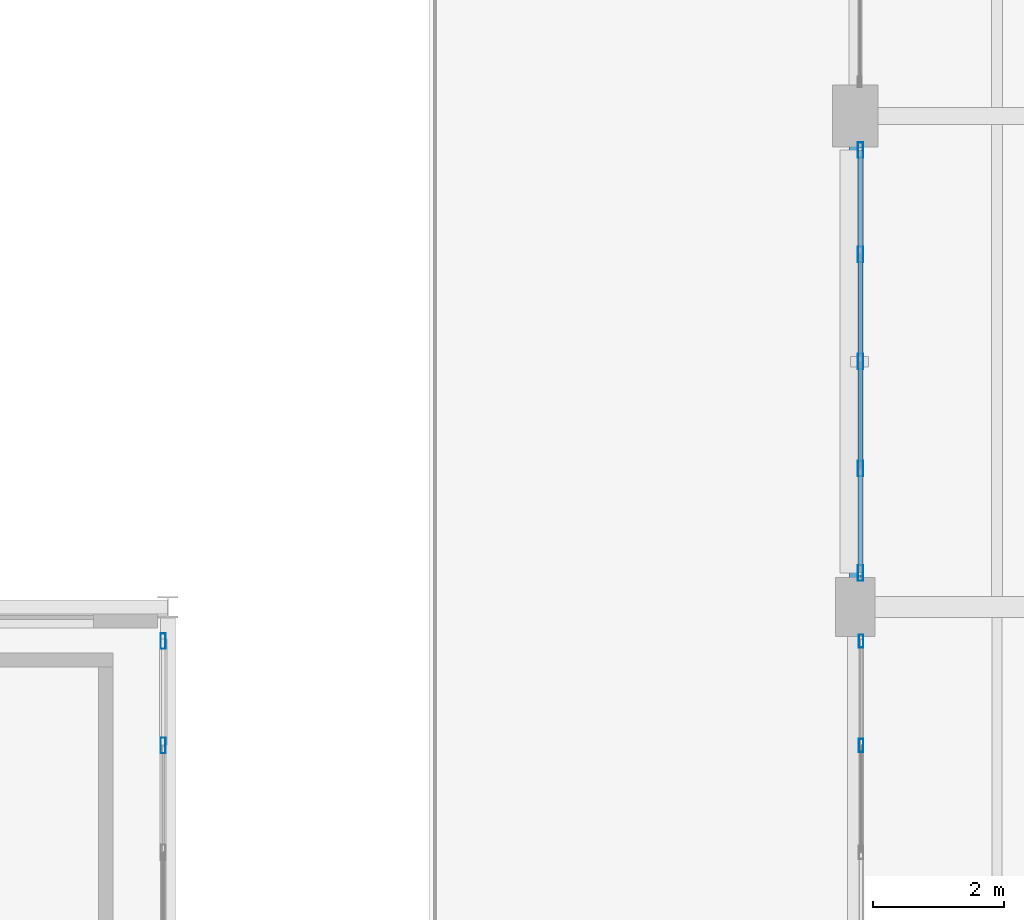
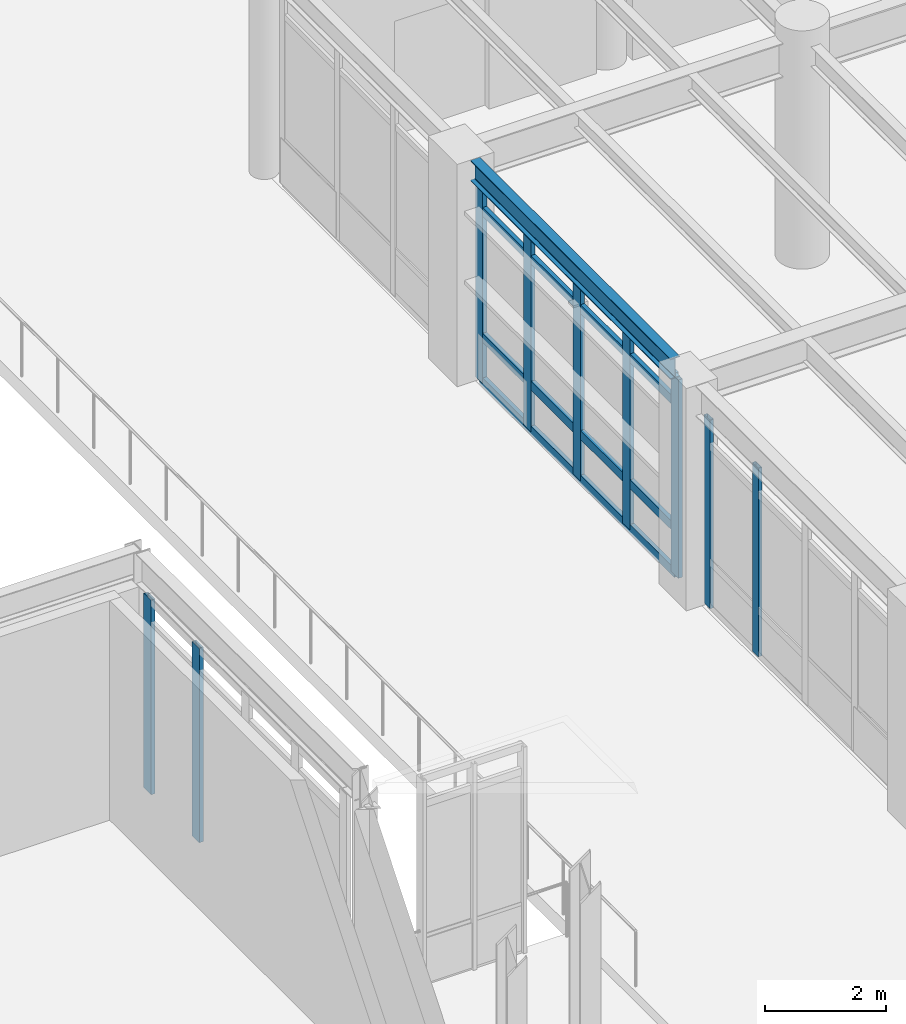
# One storey, part 40 of 200: 13 members, 1 beam, 3 elements without a shape of their own.
"""IFC4 building model written with IfcOpenShell, lengths in metres."""

from ifc_helpers import new_model, si_unit, direction, frame, origin, origin_2d, place, context, subcontext, project, spatial, hollow_rectangle, i_section, extrude, material, material_profile, profile_set, type_object, element, aggregate, save


model = new_model("IFC4")

# Units and contexts
model_context = context("Model", 3, precision=1e-05, world=origin(), true_north=direction((0.0, 1.0)))
body_context = subcontext(model_context, "Body", "Model", "MODEL_VIEW")
ifc_project = project(units=[si_unit("LENGTHUNIT", "METRE"), si_unit("AREAUNIT", "SQUARE_METRE"), si_unit("VOLUMEUNIT", "CUBIC_METRE"), si_unit("PLANEANGLEUNIT", "RADIAN"), si_unit("MASSUNIT", "GRAM", prefix="KILO"), si_unit("THERMODYNAMICTEMPERATUREUNIT", "KELVIN"), si_unit("POWERUNIT", "WATT")], contexts=[model_context])

# Site, building, storey
site_placement = place(None, origin())
site = spatial("IfcSite", under=ifc_project, at=site_placement, CompositionType="ELEMENT")
building_placement = place(site_placement, origin())
building = spatial("IfcBuilding", under=site, at=building_placement, Name="Tepalcoro Natatorium and Aquatics Centre", CompositionType="ELEMENT")
storey_placement = place(building_placement, frame((0.0, 0.0, 5.39990234375)))
storey = spatial("IfcBuildingStorey", under=building, at=storey_placement, Name="L01", CompositionType="ELEMENT", Elevation=5.39990234375)

# Curtain wall, members
ifc_material_1 = material(Name="Bronze-Anodised Extruded Aluminium Alloy EN AW-6063 T6", Category="aluminium")
curtain_wall_type_1 = type_object("IfcCurtainWallType", Name="CW_V1_PLINTH", PredefinedType="USERDEFINED", material=ifc_material_1)
curtain_wall_1_placement = place(storey_placement, origin())
curtain_wall_1 = element("IfcCurtainWall", 1, at=curtain_wall_1_placement, inside=storey, type_object=curtain_wall_type_1, Name="V1 L01 W Unitised Curtain Wall Bay 6", ObjectType="UNITISED STOREFRONT", PredefinedType="USERDEFINED")
ifc_material_profile_1 = material_profile(ifc_material_1, hollow_rectangle(XDim=0.070068359375, YDim=0.199951171875, WallThickness=0.0048828125, at=origin_2d()), Name="AL70X200X5")
ifc_profile_set_1 = profile_set([ifc_material_profile_1], Name="Bronze-Anodised Extruded Aluminium Alloy EN AW-6063 T6")
member_type_1 = type_object("IfcMemberType", Name="CW_MUL_70x200", PredefinedType="MULLION", material=ifc_profile_set_1)
member_1_placement = place(storey_placement, frame((46.590087890625, 49.385009765625, 0.02001953125), z_axis=(0.0, 0.0, 1.0), x_axis=(1.0, 0.0, 0.0)))
member_1 = element("IfcMember", 2, at=member_1_placement, type_object=member_type_1, Name="CW_V1_PLINTH Curtain Wall Mullion", PredefinedType="MULLION", context=body_context, shape_type="SweptSolid", body=[
    extrude(hollow_rectangle(XDim=0.070068359375, YDim=0.199951171875, WallThickness=0.0048828125, at=origin_2d()), origin(), (0.0, 0.0, 1.0), 3.798095703125),
])
member_2_placement = place(storey_placement, frame((46.590087890625, 50.97998046875, 0.02001953125), z_axis=(0.0, 0.0, 1.0), x_axis=(1.0, 0.0, 0.0)))
member_2 = element("IfcMember", 3, at=member_2_placement, type_object=member_type_1, Name="CW_V1_PLINTH Curtain Wall Mullion", PredefinedType="MULLION", context=body_context, shape_type="SweptSolid", body=[
    extrude(hollow_rectangle(XDim=0.070068359375, YDim=0.199951171875, WallThickness=0.0048828125, at=origin_2d()), origin(), (0.0, 0.0, 1.0), 3.798095703125),
])
aggregate(curtain_wall_1, [member_1, member_2])

curtain_wall_type_2 = type_object("IfcCurtainWallType", Name="CW_V2_DIVING", PredefinedType="USERDEFINED", material=ifc_material_1)
curtain_wall_2_placement = place(storey_placement, origin())
curtain_wall_2 = element("IfcCurtainWall", 4, at=curtain_wall_2_placement, inside=storey, type_object=curtain_wall_type_2, Name="V1 L01 W Unitised Curtain Wall Bay 7", ObjectType="FACETED SOLAR GLAZING", PredefinedType="USERDEFINED")
ifc_material_profile_2 = material_profile(ifc_material_1, hollow_rectangle(XDim=0.080078125, YDim=0.239990234375, WallThickness=0.0048828125, at=origin_2d()), Name="AL80X240X5")
ifc_profile_set_2 = profile_set([ifc_material_profile_2], Name="Bronze-Anodised Extruded Aluminium Alloy EN AW-6063 T6")
member_type_2 = type_object("IfcMemberType", Name="CW_MUL_80x240", PredefinedType="MULLION", material=ifc_profile_set_2)
member_3_placement = place(storey_placement, frame((46.580078125, 52.02001953125, 0.02001953125), z_axis=(0.0, 0.0, 1.0), x_axis=(1.0, 0.0, 0.0)))
member_3 = element("IfcMember", 5, at=member_3_placement, type_object=member_type_2, Name="CW_V2_DIVING Curtain Wall Mullion", PredefinedType="MULLION", context=body_context, shape_type="SweptSolid", body=[
    extrude(hollow_rectangle(XDim=0.080078125, YDim=0.239990234375, WallThickness=0.0048828125, at=origin_2d()), origin(), (0.0, 0.0, 1.0), 3.9970703125),
])
member_4_placement = place(storey_placement, frame((46.580078125, 53.614990234375, 0.02001953125), z_axis=(0.0, 0.0, 1.0), x_axis=(1.0, 0.0, 0.0)))
member_4 = element("IfcMember", 6, at=member_4_placement, type_object=member_type_2, Name="CW_V2_DIVING Curtain Wall Mullion", PredefinedType="MULLION", context=body_context, shape_type="SweptSolid", body=[
    extrude(hollow_rectangle(XDim=0.080078125, YDim=0.239990234375, WallThickness=0.0048828125, at=origin_2d()), origin(), (0.0, 0.0, 1.0), 3.9970703125),
])
member_5_placement = place(storey_placement, frame((46.580078125, 55.25, 0.02001953125), z_axis=(0.0, 0.0, 1.0), x_axis=(1.0, 0.0, 0.0)))
member_5 = element("IfcMember", 7, at=member_5_placement, type_object=member_type_2, Name="CW_V2_DIVING Curtain Wall Mullion", PredefinedType="MULLION", context=body_context, shape_type="SweptSolid", body=[
    extrude(hollow_rectangle(XDim=0.080078125, YDim=0.239990234375, WallThickness=0.0048828125, at=origin_2d()), origin(), (0.0, 0.0, 1.0), 3.9970703125),
])
member_6_placement = place(storey_placement, frame((46.580078125, 56.885009765625, 0.02001953125), z_axis=(0.0, 0.0, 1.0), x_axis=(1.0, 0.0, 0.0)))
member_6 = element("IfcMember", 8, at=member_6_placement, type_object=member_type_2, Name="CW_V2_DIVING Curtain Wall Mullion", PredefinedType="MULLION", context=body_context, shape_type="SweptSolid", body=[
    extrude(hollow_rectangle(XDim=0.080078125, YDim=0.239990234375, WallThickness=0.0048828125, at=origin_2d()), origin(), (0.0, 0.0, 1.0), 3.9970703125),
])
member_7_placement = place(storey_placement, frame((46.580078125, 58.47998046875, 0.02001953125), z_axis=(0.0, 0.0, 1.0), x_axis=(1.0, 0.0, 0.0)))
member_7 = element("IfcMember", 9, at=member_7_placement, type_object=member_type_2, Name="CW_V2_DIVING Curtain Wall Mullion", PredefinedType="MULLION", context=body_context, shape_type="SweptSolid", body=[
    extrude(hollow_rectangle(XDim=0.080078125, YDim=0.239990234375, WallThickness=0.0048828125, at=origin_2d()), origin(), (0.0, 0.0, 1.0), 3.9970703125),
])

curtain_wall_type_3 = type_object("IfcCurtainWallType", Name="CW_V3_FOYER", PredefinedType="USERDEFINED", material=ifc_material_1)
curtain_wall_3_placement = place(storey_placement, origin())
curtain_wall_3 = element("IfcCurtainWall", 10, at=curtain_wall_3_placement, inside=storey, type_object=curtain_wall_type_3, Name="V3 L01 E Unitised Curtain Wall Bay 6", ObjectType="UNITISED STOREFRONT", PredefinedType="USERDEFINED")
member_8_placement = place(storey_placement, frame((35.9287109375, 49.385009765625, 0.02001953125), z_axis=(0.0, 0.0, 1.0), x_axis=(1.0, 0.0, 0.0)))
member_8 = element("IfcMember", 11, at=member_8_placement, type_object=member_type_2, Name="CW_V3_FOYER Curtain Wall Mullion", PredefinedType="MULLION", context=body_context, shape_type="SweptSolid", body=[
    extrude(hollow_rectangle(XDim=0.080078125, YDim=0.239990234375, WallThickness=0.0048828125, at=origin_2d()), origin(), (0.0, 0.0, 1.0), 3.91796875),
])
member_9_placement = place(storey_placement, frame((35.9287109375, 50.97998046875, 0.02001953125), z_axis=(0.0, 0.0, 1.0), x_axis=(1.0, 0.0, 0.0)))
member_9 = element("IfcMember", 12, at=member_9_placement, type_object=member_type_2, Name="CW_V3_FOYER Curtain Wall Mullion", PredefinedType="MULLION", context=body_context, shape_type="SweptSolid", body=[
    extrude(hollow_rectangle(XDim=0.080078125, YDim=0.239990234375, WallThickness=0.0048828125, at=origin_2d()), origin(), (0.0, 0.0, 1.0), 3.91796875),
])
aggregate(curtain_wall_3, [member_8, member_9])

# Member
ifc_material_profile_3 = material_profile(ifc_material_1, hollow_rectangle(XDim=0.080078125, YDim=0.179931640625, WallThickness=0.0048828125, at=origin_2d()), Name="AL80X180X5")
ifc_profile_set_3 = profile_set([ifc_material_profile_3], Name="Bronze-Anodised Extruded Aluminium Alloy EN AW-6063 T6")
member_type_3 = type_object("IfcMemberType", Name="CW_TRN_80x180", PredefinedType="USERDEFINED", material=ifc_profile_set_3)
member_10_placement = place(storey_placement, frame((46.580078125, 52.030029296875, 0.050048828125), z_axis=(0.0, 1.0, 0.0), x_axis=(-1.0, 0.0, 0.0)))
member_10 = element("IfcMember", 13, at=member_10_placement, type_object=member_type_3, Name="CW_V2_DIVING Curtain Wall Transom", ObjectType="TRANSOM", PredefinedType="USERDEFINED", context=body_context, shape_type="SweptSolid", body=[
    extrude(hollow_rectangle(XDim=0.080078125, YDim=0.179931640625, WallThickness=0.0048828125, at=origin_2d()), origin(), (0.0, 0.0, 1.0), 6.43994140625),
])

member_11_placement = place(storey_placement, frame((46.580078125, 52.030029296875, 0.9501953125), z_axis=(0.0, 1.0, 0.0), x_axis=(-1.0, 0.0, 0.0)))
member_11 = element("IfcMember", 14, at=member_11_placement, type_object=member_type_3, Name="CW_V2_DIVING Curtain Wall Transom", ObjectType="TRANSOM", PredefinedType="USERDEFINED", context=body_context, shape_type="SweptSolid", body=[
    extrude(hollow_rectangle(XDim=0.080078125, YDim=0.179931640625, WallThickness=0.0048828125, at=origin_2d()), origin(), (0.0, 0.0, 1.0), 6.43994140625),
])

member_12_placement = place(storey_placement, frame((46.580078125, 52.030029296875, 3.487060546875), z_axis=(0.0, 1.0, 0.0), x_axis=(-1.0, 0.0, 0.0)))
member_12 = element("IfcMember", 15, at=member_12_placement, type_object=member_type_3, Name="CW_V2_DIVING Curtain Wall Transom", ObjectType="TRANSOM", PredefinedType="USERDEFINED", context=body_context, shape_type="SweptSolid", body=[
    extrude(hollow_rectangle(XDim=0.080078125, YDim=0.179931640625, WallThickness=0.0048828125, at=origin_2d()), origin(), (0.0, 0.0, 1.0), 6.43994140625),
])

member_13_placement = place(storey_placement, frame((46.580078125, 52.030029296875, 3.987060546875), z_axis=(0.0, 1.0, 0.0), x_axis=(-1.0, 0.0, 0.0)))
member_13 = element("IfcMember", 16, at=member_13_placement, type_object=member_type_3, Name="CW_V2_DIVING Curtain Wall Transom", ObjectType="TRANSOM", PredefinedType="USERDEFINED", context=body_context, shape_type="SweptSolid", body=[
    extrude(hollow_rectangle(XDim=0.080078125, YDim=0.179931640625, WallThickness=0.0048828125, at=origin_2d()), origin(), (0.0, 0.0, 1.0), 6.43994140625),
])

aggregate(curtain_wall_2, [member_3, member_4, member_5, member_6, member_7, member_10, member_11, member_12, member_13])

# Beam
ifc_material_2 = material(Name="Steel ASTM A992 Grade 50 (Fy 345 MPa)", Category="steel")
ifc_material_profile_4 = material_profile(ifc_material_2, i_section(OverallWidth=0.179931640625, OverallDepth=0.4130859375, WebThickness=0.010009765625, FlangeThickness=0.01611328125, FilletRadius=0.013916015625, at=origin_2d()), Name="W16X50")
ifc_profile_set_4 = profile_set([ifc_material_profile_4], Name="Steel ASTM A992 Grade 50 (Fy 345 MPa)")
beam_type = type_object("IfcBeamType", Name="SP_HSS300x200x12", PredefinedType="SPANDREL", material=ifc_profile_set_4)
beam_placement = place(storey_placement, frame((46.5, 51.93505859375, 4.258544921875), z_axis=(0.0, 1.0, 0.0), x_axis=(-1.0, 0.0, 0.0)))
element("IfcBeam", 17, at=beam_placement, inside=storey, type_object=beam_type, Name="V1 L01 Grid Girder Y", PredefinedType="SPANDREL", context=body_context, shape_type="SweptSolid", body=[
    extrude(i_section(OverallWidth=0.179931640625, OverallDepth=0.4130859375, WebThickness=0.010009765625, FlangeThickness=0.01611328125, FilletRadius=0.013916015625, at=origin_2d()), origin(), (0.0, 0.0, 1.0), 6.60498046875),
])

save(model, "model.ifc")
